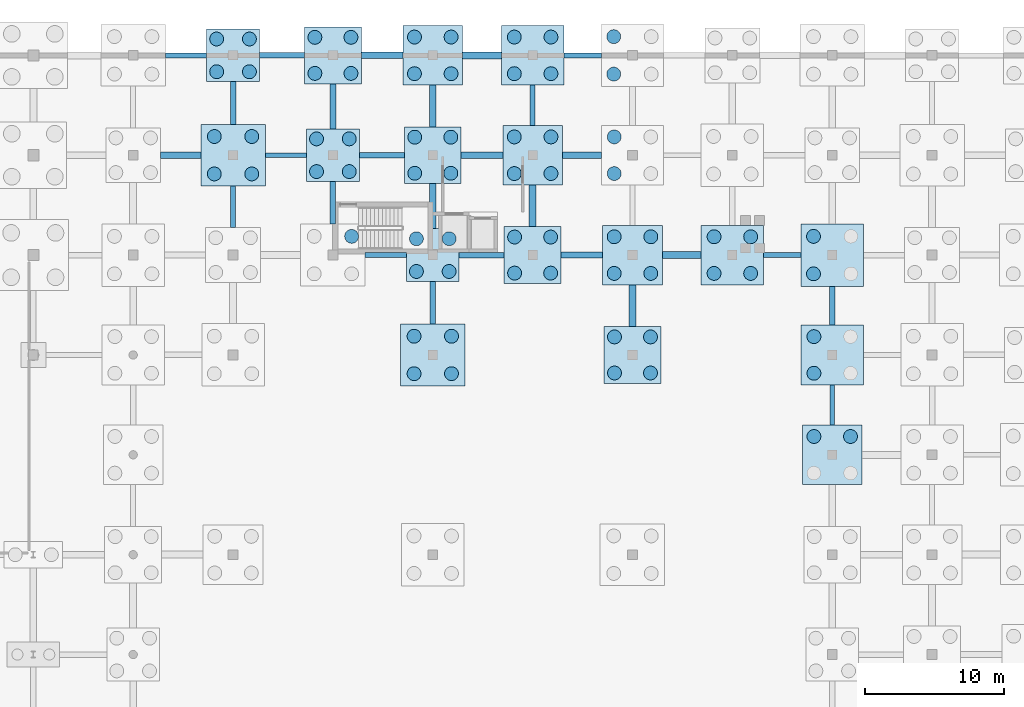
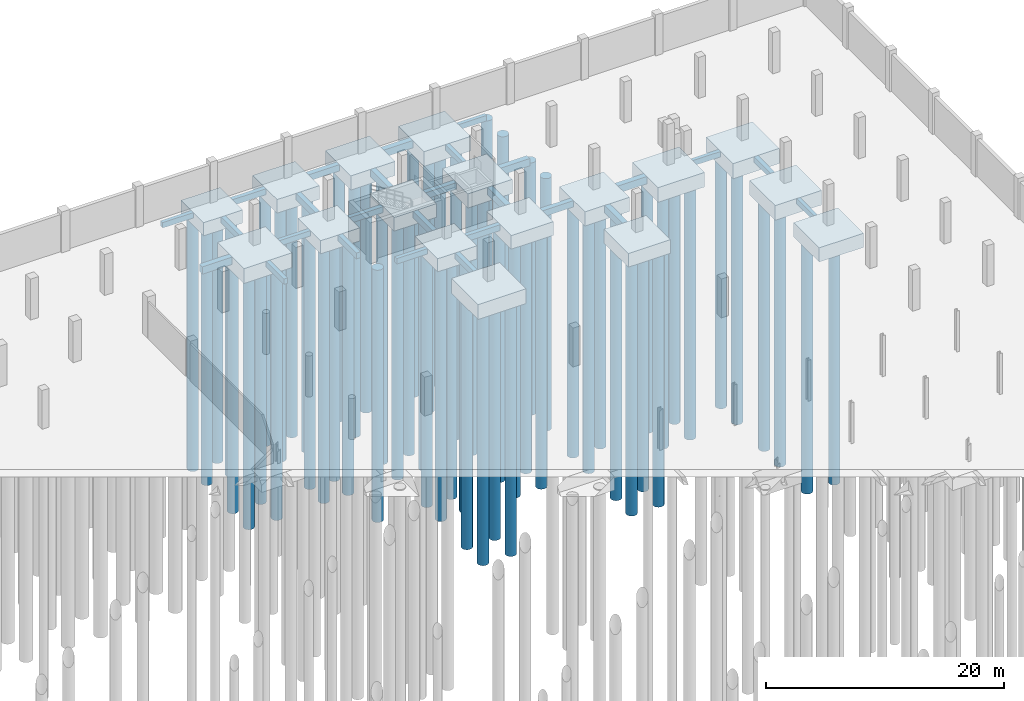
# One storey, part 17 of 56: 67 piles, 44 footings.
"""IFC4 building model written with IfcOpenShell, lengths in metres."""

from ifc_helpers import new_model, si_unit, direction, frame, origin, origin_2d, place, context, subcontext, project, spatial, rectangle, circle, extrude, material, material_profile, profile_set, type_object, element, save


model = new_model("IFC4")

# Units and contexts
model_context = context("Model", 3, precision=1e-05, world=origin(), true_north=direction((0.0, 1.0)))
body_context = subcontext(model_context, "Body", "Model", "MODEL_VIEW")
ifc_project = project(units=[si_unit("LENGTHUNIT", "METRE"), si_unit("AREAUNIT", "SQUARE_METRE"), si_unit("VOLUMEUNIT", "CUBIC_METRE"), si_unit("PLANEANGLEUNIT", "RADIAN"), si_unit("MASSUNIT", "GRAM", prefix="KILO")], contexts=[model_context])

# Site, building, storey
site_placement = place(None, origin())
site = spatial("IfcSite", under=ifc_project, at=site_placement, CompositionType="ELEMENT")
building_placement = place(site_placement, origin())
building = spatial("IfcBuilding", under=site, at=building_placement, Name="Suanplinth Sawtooth Commons", CompositionType="ELEMENT")
storey_placement = place(building_placement, frame((0.0, 0.0, -4.199951171875)))
storey = spatial("IfcBuildingStorey", under=building, at=storey_placement, Name="B1", CompositionType="ELEMENT", Elevation=-4.199951171875)

# Footings
ifc_material_1 = material(Name="Concrete C35/45", Category="concrete")
ifc_material_profile_1 = material_profile(ifc_material_1, rectangle(XDim=0.449951171875, YDim=0.64990234375, at=origin_2d()), Name="PC-GDR 450x650")
ifc_profile_set_1 = profile_set([ifc_material_profile_1], Name="Concrete C35/45")
footing_type_1 = type_object("IfcFootingType", Name="FB-01", PredefinedType="FOOTING_BEAM", material=ifc_profile_set_1)
footing_1_placement = place(storey_placement, frame((136.800048828125, 117.10009765625, -0.824951171875), z_axis=(0.0, 1.0, 0.0), x_axis=(-1.0, 0.0, 0.0)))
element("IfcFooting", 1, at=footing_1_placement, inside=storey, type_object=footing_type_1, Name="Foundation Tie Beam 20/S-T", PredefinedType="FOOTING_BEAM", context=body_context, shape_type="SweptSolid", body=[
    extrude(rectangle(XDim=0.449951171875, YDim=0.64990234375, at=origin_2d()), origin(), (0.0, 0.0, 1.0), 3.25),
])
footing_2_placement = place(storey_placement, frame((138.85009765625, 122.39990234375, -0.824951171875), z_axis=(1.0, 0.0, 0.0), x_axis=(0.0, 1.0, 0.0)))
element("IfcFooting", 2, at=footing_2_placement, inside=storey, type_object=footing_type_1, Name="Foundation Tie Beam 20-21/T", PredefinedType="FOOTING_BEAM", context=body_context, shape_type="SweptSolid", body=[
    extrude(rectangle(XDim=0.449951171875, YDim=0.64990234375, at=origin_2d()), origin(), (0.0, 0.0, 1.0), 3.0),
])
footing_3_placement = place(storey_placement, frame((144.0, 109.89990234375, -0.824951171875), z_axis=(0.0, 1.0, 0.0), x_axis=(-1.0, 0.0, 0.0)))
element("IfcFooting", 3, at=footing_3_placement, inside=storey, type_object=footing_type_1, Name="Foundation Tie Beam 21/R-S", PredefinedType="FOOTING_BEAM", context=body_context, shape_type="SweptSolid", body=[
    extrude(rectangle(XDim=0.449951171875, YDim=0.64990234375, at=origin_2d()), origin(), (0.0, 0.0, 1.0), 3.25),
])
for number, where, z_axis, x_axis, name in (
    (4, (146.050048828125, 115.199951171875, -0.824951171875), (1.0, 0.0, 0.0), (0.0, 1.0, 0.0), "Foundation Tie Beam 21-22/S"),
    (5, (153.25, 108.0, -0.824951171875), (1.0, 0.0, 0.0), (0.0, 1.0, 0.0), "Foundation Tie Beam 22-23/R"),
):
    element("IfcFooting", number, at=place(storey_placement, frame(where, z_axis=z_axis, x_axis=x_axis)), inside=storey, type_object=footing_type_1, Name=name, PredefinedType="FOOTING_BEAM", context=body_context, shape_type="SweptSolid", body=[
        extrude(rectangle(XDim=0.449951171875, YDim=0.64990234375, at=origin_2d()), origin(), (0.0, 0.0, 1.0), 3.0),
    ])
ifc_material_profile_2 = material_profile(ifc_material_1, rectangle(XDim=0.5, YDim=0.75, at=origin_2d()), Name="RC-GDR 500x750")
ifc_profile_set_2 = profile_set([ifc_material_profile_2], Name="Concrete C35/45")
footing_type_2 = type_object("IfcFootingType", Name="FB-02", PredefinedType="FOOTING_BEAM", material=ifc_profile_set_2)
footing_4_placement = place(storey_placement, frame((124.375, 115.199951171875, -0.875), z_axis=(1.0, 0.0, 0.0), x_axis=(0.0, 1.0, 0.0)))
element("IfcFooting", 6, at=footing_4_placement, inside=storey, type_object=footing_type_2, Name="Foundation Tie Beam 18-19/S", PredefinedType="FOOTING_BEAM", context=body_context, shape_type="SweptSolid", body=[
    extrude(rectangle(XDim=0.5, YDim=0.75, at=origin_2d()), origin(), (0.0, 0.0, 1.0), 2.89990234375),
])
footing_5_placement = place(storey_placement, frame((144.0, 117.25, -0.875), z_axis=(0.0, 1.0, 0.0), x_axis=(-1.0, 0.0, 0.0)))
element("IfcFooting", 7, at=footing_5_placement, inside=storey, type_object=footing_type_2, Name="Foundation Tie Beam 21/S-T", PredefinedType="FOOTING_BEAM", context=body_context, shape_type="SweptSolid", body=[
    extrude(rectangle(XDim=0.5, YDim=0.75, at=origin_2d()), origin(), (0.0, 0.0, 1.0), 3.0),
])
footing_6_placement = place(storey_placement, frame((146.14990234375, 122.39990234375, -0.875), z_axis=(1.0, 0.0, 0.0), x_axis=(0.0, 1.0, 0.0)))
element("IfcFooting", 8, at=footing_6_placement, inside=storey, type_object=footing_type_2, Name="Foundation Tie Beam 21-22/T", PredefinedType="FOOTING_BEAM", context=body_context, shape_type="SweptSolid", body=[
    extrude(rectangle(XDim=0.5, YDim=0.75, at=origin_2d()), origin(), (0.0, 0.0, 1.0), 2.800048828125),
])
footing_7_placement = place(storey_placement, frame((151.199951171875, 110.050048828125, -0.875), z_axis=(0.0, 1.0, 0.0), x_axis=(-1.0, 0.0, 0.0)))
element("IfcFooting", 9, at=footing_7_placement, inside=storey, type_object=footing_type_2, Name="Foundation Tie Beam 22/R-S", PredefinedType="FOOTING_BEAM", context=body_context, shape_type="SweptSolid", body=[
    extrude(rectangle(XDim=0.5, YDim=0.75, at=origin_2d()), origin(), (0.0, 0.0, 1.0), 3.0),
])
footing_8_placement = place(storey_placement, frame((153.35009765625, 115.199951171875, -0.875), z_axis=(1.0, 0.0, 0.0), x_axis=(0.0, 1.0, 0.0)))
element("IfcFooting", 10, at=footing_8_placement, inside=storey, type_object=footing_type_2, Name="Foundation Tie Beam 22-23/S", PredefinedType="FOOTING_BEAM", context=body_context, shape_type="SweptSolid", body=[
    extrude(rectangle(XDim=0.5, YDim=0.75, at=origin_2d()), origin(), (0.0, 0.0, 1.0), 2.7998046875),
])
footing_9_placement = place(storey_placement, frame((158.39990234375, 102.85009765625, -0.875), z_axis=(0.0, 1.0, 0.0), x_axis=(-1.0, 0.0, 0.0)))
element("IfcFooting", 11, at=footing_9_placement, inside=storey, type_object=footing_type_2, Name="Foundation Tie Beam 23/Q-R", PredefinedType="FOOTING_BEAM", context=body_context, shape_type="SweptSolid", body=[
    extrude(rectangle(XDim=0.5, YDim=0.75, at=origin_2d()), origin(), (0.0, 0.0, 1.0), 3.0),
])
footing_10_placement = place(storey_placement, frame((160.550048828125, 108.0, -0.875), z_axis=(1.0, 0.0, 0.0), x_axis=(0.0, 1.0, 0.0)))
element("IfcFooting", 12, at=footing_10_placement, inside=storey, type_object=footing_type_2, Name="Foundation Tie Beam 23-24/R", PredefinedType="FOOTING_BEAM", context=body_context, shape_type="SweptSolid", body=[
    extrude(rectangle(XDim=0.5, YDim=0.75, at=origin_2d()), origin(), (0.0, 0.0, 1.0), 2.800048828125),
])
ifc_material_profile_3 = material_profile(ifc_material_1, rectangle(XDim=0.35009765625, YDim=0.550048828125, at=origin_2d()), Name="PC-BM 350x550")
ifc_profile_set_3 = profile_set([ifc_material_profile_3], Name="Concrete C35/45")
footing_type_3 = type_object("IfcFootingType", Name="FB-03", PredefinedType="FOOTING_BEAM", material=ifc_profile_set_3)
footing_11_placement = place(storey_placement, frame((124.72509765625, 122.39990234375, -0.775146484375), z_axis=(1.0, 0.0, 0.0), x_axis=(0.0, 1.0, 0.0)))
element("IfcFooting", 13, at=footing_11_placement, inside=storey, type_object=footing_type_3, Name="Foundation Tie Beam 18-19/T", PredefinedType="FOOTING_BEAM", context=body_context, shape_type="SweptSolid", body=[
    extrude(rectangle(XDim=0.35009765625, YDim=0.550048828125, at=origin_2d()), origin(), (0.0, 0.0, 1.0), 2.974853515625),
])
footing_12_placement = place(storey_placement, frame((129.60009765625, 109.97509765625, -0.775146484375), z_axis=(0.0, 1.0, 0.0), x_axis=(-1.0, 0.0, 0.0)))
element("IfcFooting", 14, at=footing_12_placement, inside=storey, type_object=footing_type_3, Name="Foundation Tie Beam 19/R-S", PredefinedType="FOOTING_BEAM", context=body_context, shape_type="SweptSolid", body=[
    extrude(rectangle(XDim=0.35009765625, YDim=0.550048828125, at=origin_2d()), origin(), (0.0, 0.0, 1.0), 3.0),
])
footing_13_placement = place(storey_placement, frame((131.925048828125, 115.199951171875, -0.775146484375), z_axis=(1.0, 0.0, 0.0), x_axis=(0.0, 1.0, 0.0)))
element("IfcFooting", 15, at=footing_13_placement, inside=storey, type_object=footing_type_3, Name="Foundation Tie Beam 19-20/S", PredefinedType="FOOTING_BEAM", context=body_context, shape_type="SweptSolid", body=[
    extrude(rectangle(XDim=0.35009765625, YDim=0.550048828125, at=origin_2d()), origin(), (0.0, 0.0, 1.0), 2.974853515625),
])
footing_14_placement = place(storey_placement, frame((139.125, 108.0, -0.775146484375), z_axis=(1.0, 0.0, 0.0), x_axis=(0.0, 1.0, 0.0)))
element("IfcFooting", 16, at=footing_14_placement, inside=storey, type_object=footing_type_3, Name="Foundation Tie Beam 20-21/R", PredefinedType="FOOTING_BEAM", context=body_context, shape_type="SweptSolid", body=[
    extrude(rectangle(XDim=0.35009765625, YDim=0.550048828125, at=origin_2d()), origin(), (0.0, 0.0, 1.0), 2.97509765625),
])
footing_15_placement = place(storey_placement, frame((151.199951171875, 117.35009765625, -0.775146484375), z_axis=(0.0, 1.0, 0.0), x_axis=(-1.0, 0.0, 0.0)))
element("IfcFooting", 17, at=footing_15_placement, inside=storey, type_object=footing_type_3, Name="Foundation Tie Beam 22/S-T", PredefinedType="FOOTING_BEAM", context=body_context, shape_type="SweptSolid", body=[
    extrude(rectangle(XDim=0.35009765625, YDim=0.550048828125, at=origin_2d()), origin(), (0.0, 0.0, 1.0), 2.89990234375),
])
for number, where, z_axis, x_axis, name in (
    (18, (153.449951171875, 122.39990234375, -0.775146484375), (1.0, 0.0, 0.0), (0.0, 1.0, 0.0), "Foundation Tie Beam 22-23/T"),
    (19, (167.85009765625, 108.0, -0.775146484375), (1.0, 0.0, 0.0), (0.0, 1.0, 0.0), "Foundation Tie Beam 24-25/R"),
):
    element("IfcFooting", number, at=place(storey_placement, frame(where, z_axis=z_axis, x_axis=x_axis)), inside=storey, type_object=footing_type_3, Name=name, PredefinedType="FOOTING_BEAM", context=body_context, shape_type="SweptSolid", body=[
        extrude(rectangle(XDim=0.35009765625, YDim=0.550048828125, at=origin_2d()), origin(), (0.0, 0.0, 1.0), 2.699951171875),
    ])
footing_16_placement = place(storey_placement, frame((172.800048828125, 95.75, -0.775146484375), z_axis=(0.0, 1.0, 0.0), x_axis=(-1.0, 0.0, 0.0)))
element("IfcFooting", 20, at=footing_16_placement, inside=storey, type_object=footing_type_3, Name="Foundation Tie Beam 25/P-Q", PredefinedType="FOOTING_BEAM", context=body_context, shape_type="SweptSolid", body=[
    extrude(rectangle(XDim=0.35009765625, YDim=0.550048828125, at=origin_2d()), origin(), (0.0, 0.0, 1.0), 2.89990234375),
])
ifc_material_profile_4 = material_profile(ifc_material_1, rectangle(XDim=0.39990234375, YDim=0.60009765625, at=origin_2d()), Name="PC-GDR 400x600")
ifc_profile_set_4 = profile_set([ifc_material_profile_4], Name="Concrete C35/45")
footing_type_4 = type_object("IfcFootingType", Name="FB-04", PredefinedType="FOOTING_BEAM", material=ifc_profile_set_4)
footing_17_placement = place(storey_placement, frame((129.60009765625, 117.425048828125, -0.800048828125), z_axis=(0.0, 1.0, 0.0), x_axis=(-1.0, 0.0, 0.0)))
element("IfcFooting", 21, at=footing_17_placement, inside=storey, type_object=footing_type_4, Name="Foundation Tie Beam 19/S-T", PredefinedType="FOOTING_BEAM", context=body_context, shape_type="SweptSolid", body=[
    extrude(rectangle(XDim=0.39990234375, YDim=0.60009765625, at=origin_2d()), origin(), (0.0, 0.0, 1.0), 3.074951171875),
])
footing_18_placement = place(storey_placement, frame((131.5, 122.39990234375, -0.800048828125), z_axis=(1.0, 0.0, 0.0), x_axis=(0.0, 1.0, 0.0)))
element("IfcFooting", 22, at=footing_18_placement, inside=storey, type_object=footing_type_4, Name="Foundation Tie Beam 19-20/T", PredefinedType="FOOTING_BEAM", context=body_context, shape_type="SweptSolid", body=[
    extrude(rectangle(XDim=0.39990234375, YDim=0.60009765625, at=origin_2d()), origin(), (0.0, 0.0, 1.0), 3.25),
])
footing_19_placement = place(storey_placement, frame((136.800048828125, 110.22509765625, -0.800048828125), z_axis=(0.0, 1.0, 0.0), x_axis=(-1.0, 0.0, 0.0)))
element("IfcFooting", 23, at=footing_19_placement, inside=storey, type_object=footing_type_4, Name="Foundation Tie Beam 20/R-S", PredefinedType="FOOTING_BEAM", context=body_context, shape_type="SweptSolid", body=[
    extrude(rectangle(XDim=0.39990234375, YDim=0.60009765625, at=origin_2d()), origin(), (0.0, 0.0, 1.0), 3.074951171875),
])
footing_20_placement = place(storey_placement, frame((138.699951171875, 115.199951171875, -0.800048828125), z_axis=(1.0, 0.0, 0.0), x_axis=(0.0, 1.0, 0.0)))
element("IfcFooting", 24, at=footing_20_placement, inside=storey, type_object=footing_type_4, Name="Foundation Tie Beam 20-21/S", PredefinedType="FOOTING_BEAM", context=body_context, shape_type="SweptSolid", body=[
    extrude(rectangle(XDim=0.39990234375, YDim=0.60009765625, at=origin_2d()), origin(), (0.0, 0.0, 1.0), 3.25),
])
footing_21_placement = place(storey_placement, frame((144.0, 103.02490234375, -0.800048828125), z_axis=(0.0, 1.0, 0.0), x_axis=(-1.0, 0.0, 0.0)))
element("IfcFooting", 25, at=footing_21_placement, inside=storey, type_object=footing_type_4, Name="Foundation Tie Beam 21/Q-R", PredefinedType="FOOTING_BEAM", context=body_context, shape_type="SweptSolid", body=[
    extrude(rectangle(XDim=0.39990234375, YDim=0.60009765625, at=origin_2d()), origin(), (0.0, 0.0, 1.0), 3.0751953125),
])
footing_22_placement = place(storey_placement, frame((145.89990234375, 108.0, -0.800048828125), z_axis=(1.0, 0.0, 0.0), x_axis=(0.0, 1.0, 0.0)))
element("IfcFooting", 26, at=footing_22_placement, inside=storey, type_object=footing_type_4, Name="Foundation Tie Beam 21-22/R", PredefinedType="FOOTING_BEAM", context=body_context, shape_type="SweptSolid", body=[
    extrude(rectangle(XDim=0.39990234375, YDim=0.60009765625, at=origin_2d()), origin(), (0.0, 0.0, 1.0), 3.25),
])
footing_23_placement = place(storey_placement, frame((172.800048828125, 102.949951171875, -0.800048828125), z_axis=(0.0, 1.0, 0.0), x_axis=(-1.0, 0.0, 0.0)))
element("IfcFooting", 27, at=footing_23_placement, inside=storey, type_object=footing_type_4, Name="Foundation Tie Beam 25/Q-R", PredefinedType="FOOTING_BEAM", context=body_context, shape_type="SweptSolid", body=[
    extrude(rectangle(XDim=0.39990234375, YDim=0.60009765625, at=origin_2d()), origin(), (0.0, 0.0, 1.0), 2.800048828125),
])
footing_type_5 = type_object("IfcFootingType", Name="FC-06", PredefinedType="PILE_CAP", material=ifc_material_1)
for number, where, z_axis, x_axis, name in (
    (28, (129.60009765625, 122.39990234375, -1.85009765625), (0.0, 0.0, 1.0), (1.0, 0.0, 0.0), "Pile Cap 19/T"),
    (29, (136.800048828125, 115.199951171875, -1.85009765625), (0.0, 0.0, 1.0), (1.0, 0.0, 0.0), "Pile Cap 20/S"),
    (30, (144.0, 108.0, -1.85009765625), (0.0, 0.0, 1.0), (1.0, 0.0, 0.0), "Pile Cap 21/R"),
):
    element("IfcFooting", number, at=place(storey_placement, frame(where, z_axis=z_axis, x_axis=x_axis)), inside=storey, type_object=footing_type_5, Name=name, PredefinedType="PILE_CAP", context=body_context, shape_type="SweptSolid", body=[
        extrude(rectangle(XDim=3.800048828125, YDim=3.800048828125, at=origin_2d()), origin(), (0.0, 0.0, 1.0), 1.35009765625),
    ])
footing_type_6 = type_object("IfcFootingType", Name="FC-07", PredefinedType="PILE_CAP", material=ifc_material_1)
for number, where, z_axis, x_axis, name in (
    (31, (136.800048828125, 122.39990234375, -1.89990234375), (0.0, 0.0, 1.0), (1.0, 0.0, 0.0), "Pile Cap 20/T"),
    (32, (144.0, 115.199951171875, -1.89990234375), (0.0, 0.0, 1.0), (1.0, 0.0, 0.0), "Pile Cap 21/S"),
    (33, (151.199951171875, 108.0, -1.89990234375), (0.0, 0.0, 1.0), (1.0, 0.0, 0.0), "Pile Cap 22/R"),
    (34, (158.39990234375, 100.800048828125, -1.89990234375), (0.0, 0.0, 1.0), (1.0, 0.0, 0.0), "Pile Cap 23/Q"),
):
    element("IfcFooting", number, at=place(storey_placement, frame(where, z_axis=z_axis, x_axis=x_axis)), inside=storey, type_object=footing_type_6, Name=name, PredefinedType="PILE_CAP", context=body_context, shape_type="SweptSolid", body=[
        extrude(rectangle(XDim=4.10009765625, YDim=4.10009765625, at=origin_2d()), origin(), (0.0, 0.0, 1.0), 1.39990234375),
    ])
footing_type_7 = type_object("IfcFootingType", Name="FC-08", PredefinedType="PILE_CAP", material=ifc_material_1)
for number, where, z_axis, x_axis, name in (
    (35, (144.0, 122.39990234375, -1.9501953125), (0.0, 0.0, 1.0), (1.0, 0.0, 0.0), "Pile Cap 21/T"),
    (36, (151.199951171875, 115.199951171875, -1.9501953125), (0.0, 0.0, 1.0), (1.0, 0.0, 0.0), "Pile Cap 22/S"),
    (37, (158.39990234375, 108.0, -1.9501953125), (0.0, 0.0, 1.0), (1.0, 0.0, 0.0), "Pile Cap 23/R"),
    (38, (172.800048828125, 93.60009765625, -1.9501953125), (0.0, 0.0, 1.0), (1.0, 0.0, 0.0), "Pile Cap 25/P"),
):
    element("IfcFooting", number, at=place(storey_placement, frame(where, z_axis=z_axis, x_axis=x_axis)), inside=storey, type_object=footing_type_7, Name=name, PredefinedType="PILE_CAP", context=body_context, shape_type="SweptSolid", body=[
        extrude(rectangle(XDim=4.300048828125, YDim=4.300048828125, at=origin_2d()), origin(), (0.0, 0.0, 1.0), 1.449951171875),
    ])
footing_type_8 = type_object("IfcFootingType", Name="FC-09", PredefinedType="PILE_CAP", material=ifc_material_1)
for number, where, z_axis, x_axis, name in (
    (39, (151.199951171875, 122.39990234375, -2.0), (0.0, 0.0, 1.0), (1.0, 0.0, 0.0), "Pile Cap 22/T"),
    (40, (165.60009765625, 108.0, -2.0), (0.0, 0.0, 1.0), (1.0, 0.0, 0.0), "Pile Cap 24/R"),
    (41, (172.800048828125, 100.800048828125, -2.0), (0.0, 0.0, 1.0), (1.0, 0.0, 0.0), "Pile Cap 25/Q"),
):
    element("IfcFooting", number, at=place(storey_placement, frame(where, z_axis=z_axis, x_axis=x_axis)), inside=storey, type_object=footing_type_8, Name=name, PredefinedType="PILE_CAP", context=body_context, shape_type="SweptSolid", body=[
        extrude(rectangle(XDim=4.5, YDim=4.300048828125, at=origin_2d()), origin(), (0.0, 0.0, 1.0), 1.5),
    ])
footing_type_9 = type_object("IfcFootingType", Name="FC-10", PredefinedType="PILE_CAP", material=ifc_material_1)
footing_24_placement = place(storey_placement, frame((172.800048828125, 108.0, -2.05029296875), z_axis=(0.0, 0.0, 1.0), x_axis=(1.0, 0.0, 0.0)))
element("IfcFooting", 42, at=footing_24_placement, inside=storey, type_object=footing_type_9, Name="Pile Cap 25/R", PredefinedType="PILE_CAP", context=body_context, shape_type="SweptSolid", body=[
    extrude(rectangle(XDim=4.5, YDim=4.5, at=origin_2d()), origin(), (0.0, 0.0, 1.0), 1.550048828125),
])
footing_type_10 = type_object("IfcFootingType", Name="FC-16", PredefinedType="PILE_CAP", material=ifc_material_1)
for number, where, z_axis, x_axis, name in (
    (43, (129.60009765625, 115.199951171875, -2.02001953125), (0.0, 0.0, 1.0), (1.0, 0.0, 0.0), "Pile Cap 19/S"),
    (44, (144.0, 100.800048828125, -2.02001953125), (0.0, 0.0, 1.0), (1.0, 0.0, 0.0), "Pile Cap 21/Q"),
):
    element("IfcFooting", number, at=place(storey_placement, frame(where, z_axis=z_axis, x_axis=x_axis)), inside=storey, type_object=footing_type_10, Name=name, PredefinedType="PILE_CAP", context=body_context, shape_type="SweptSolid", body=[
        extrude(rectangle(XDim=4.64990234375, YDim=4.449951171875, at=origin_2d()), origin(), (0.0, 0.0, 1.0), 1.52001953125),
    ])

# Piles
ifc_material_2 = material(Name="Concrete C32/40", Category="concrete")
ifc_material_profile_5 = material_profile(ifc_material_2, circle(Radius=0.5, at=origin_2d()), Name="PILE D1000")
ifc_profile_set_5 = profile_set([ifc_material_profile_5], Name="Concrete C32/40")
pile_type = type_object("IfcPileType", Name="P-02", PredefinedType="BORED", material=ifc_profile_set_5)
for number, where, z_axis, x_axis, name in (
    (45, (128.25, 113.85009765625, -1.920166015625), (0.0, 0.0, -1.0), (1.0, 0.0, 0.0), "Bored Pile 19/S-1"),
    (46, (130.949951171875, 113.85009765625, -1.920166015625), (0.0, 0.0, -1.0), (1.0, 0.0, 0.0), "Bored Pile 19/S-2"),
    (47, (128.25, 116.550048828125, -1.920166015625), (0.0, 0.0, -1.0), (1.0, 0.0, 0.0), "Bored Pile 19/S-3"),
    (48, (130.949951171875, 116.550048828125, -1.920166015625), (0.0, 0.0, -1.0), (1.0, 0.0, 0.0), "Bored Pile 19/S-4"),
):
    element("IfcPile", number, at=place(storey_placement, frame(where, z_axis=z_axis, x_axis=x_axis)), inside=storey, type_object=pile_type, Name=name, PredefinedType="BORED", context=body_context, shape_type="SweptSolid", body=[
        extrude(circle(Radius=0.5, at=origin_2d()), origin(), (0.0, 0.0, 1.0), 25.8798828125),
    ])
for number, where, z_axis, x_axis, name in (
    (49, (128.419921875, 121.219970703125, -1.75), (0.0, 0.0, -1.0), (1.0, 0.0, 0.0), "Bored Pile 19/T-1"),
    (50, (130.780029296875, 121.219970703125, -1.75), (0.0, 0.0, -1.0), (1.0, 0.0, 0.0), "Bored Pile 19/T-2"),
    (51, (128.419921875, 123.580078125, -1.75), (0.0, 0.0, -1.0), (1.0, 0.0, 0.0), "Bored Pile 19/T-3"),
    (52, (130.780029296875, 123.580078125, -1.75), (0.0, 0.0, -1.0), (1.0, 0.0, 0.0), "Bored Pile 19/T-4"),
):
    element("IfcPile", number, at=place(storey_placement, frame(where, z_axis=z_axis, x_axis=x_axis)), inside=storey, type_object=pile_type, Name=name, PredefinedType="BORED", context=body_context, shape_type="SweptSolid", body=[
        extrude(circle(Radius=0.5, at=origin_2d()), origin(), (0.0, 0.0, 1.0), 26.050048828125),
    ])
pile_placement = place(storey_placement, frame((138.14990234375, 109.35009765625, -1.920166015625), z_axis=(0.0, 0.0, -1.0), x_axis=(1.0, 0.0, 0.0)))
element("IfcPile", 53, at=pile_placement, inside=storey, type_object=pile_type, Name="Bored Pile 20/R-4", PredefinedType="BORED", context=body_context, shape_type="SweptSolid", body=[
    extrude(circle(Radius=0.5, at=origin_2d()), origin(), (0.0, 0.0, 1.0), 25.8798828125),
])
for number, where, z_axis, x_axis, name in (
    (54, (135.6201171875, 114.02001953125, -1.75), (0.0, 0.0, -1.0), (1.0, 0.0, 0.0), "Bored Pile 20/S-1"),
    (55, (137.97998046875, 114.02001953125, -1.75), (0.0, 0.0, -1.0), (1.0, 0.0, 0.0), "Bored Pile 20/S-2"),
    (56, (135.6201171875, 116.3798828125, -1.75), (0.0, 0.0, -1.0), (1.0, 0.0, 0.0), "Bored Pile 20/S-3"),
    (57, (137.97998046875, 116.3798828125, -1.75), (0.0, 0.0, -1.0), (1.0, 0.0, 0.0), "Bored Pile 20/S-4"),
):
    element("IfcPile", number, at=place(storey_placement, frame(where, z_axis=z_axis, x_axis=x_axis)), inside=storey, type_object=pile_type, Name=name, PredefinedType="BORED", context=body_context, shape_type="SweptSolid", body=[
        extrude(circle(Radius=0.5, at=origin_2d()), origin(), (0.0, 0.0, 1.0), 26.050048828125),
    ])
for number, where, z_axis, x_axis, name in (
    (58, (135.5, 121.10009765625, -1.800048828125), (0.0, 0.0, -1.0), (1.0, 0.0, 0.0), "Bored Pile 20/T-1"),
    (59, (138.10009765625, 121.10009765625, -1.800048828125), (0.0, 0.0, -1.0), (1.0, 0.0, 0.0), "Bored Pile 20/T-2"),
    (60, (135.5, 123.699951171875, -1.800048828125), (0.0, 0.0, -1.0), (1.0, 0.0, 0.0), "Bored Pile 20/T-3"),
    (61, (138.10009765625, 123.699951171875, -1.800048828125), (0.0, 0.0, -1.0), (1.0, 0.0, 0.0), "Bored Pile 20/T-4"),
):
    element("IfcPile", number, at=place(storey_placement, frame(where, z_axis=z_axis, x_axis=x_axis)), inside=storey, type_object=pile_type, Name=name, PredefinedType="BORED", context=body_context, shape_type="SweptSolid", body=[
        extrude(circle(Radius=0.5, at=origin_2d()), origin(), (0.0, 0.0, 1.0), 26.0),
    ])
for number, where, z_axis, x_axis, name in (
    (62, (142.64990234375, 99.449951171875, -1.920166015625), (0.0, 0.0, -1.0), (1.0, 0.0, 0.0), "Bored Pile 21/Q-1"),
    (63, (145.35009765625, 99.449951171875, -1.920166015625), (0.0, 0.0, -1.0), (1.0, 0.0, 0.0), "Bored Pile 21/Q-2"),
    (64, (142.64990234375, 102.14990234375, -1.920166015625), (0.0, 0.0, -1.0), (1.0, 0.0, 0.0), "Bored Pile 21/Q-3"),
    (65, (145.35009765625, 102.14990234375, -1.920166015625), (0.0, 0.0, -1.0), (1.0, 0.0, 0.0), "Bored Pile 21/Q-4"),
):
    element("IfcPile", number, at=place(storey_placement, frame(where, z_axis=z_axis, x_axis=x_axis)), inside=storey, type_object=pile_type, Name=name, PredefinedType="BORED", context=body_context, shape_type="SweptSolid", body=[
        extrude(circle(Radius=0.5, at=origin_2d()), origin(), (0.0, 0.0, 1.0), 25.8798828125),
    ])
for number, where, z_axis, x_axis, name in (
    (66, (142.820068359375, 106.820068359375, -1.75), (0.0, 0.0, -1.0), (1.0, 0.0, 0.0), "Bored Pile 21/R-1"),
    (67, (145.179931640625, 106.820068359375, -1.75), (0.0, 0.0, -1.0), (1.0, 0.0, 0.0), "Bored Pile 21/R-2"),
    (68, (142.820068359375, 109.179931640625, -1.75), (0.0, 0.0, -1.0), (1.0, 0.0, 0.0), "Bored Pile 21/R-3"),
    (69, (145.179931640625, 109.179931640625, -1.75), (0.0, 0.0, -1.0), (1.0, 0.0, 0.0), "Bored Pile 21/R-4"),
):
    element("IfcPile", number, at=place(storey_placement, frame(where, z_axis=z_axis, x_axis=x_axis)), inside=storey, type_object=pile_type, Name=name, PredefinedType="BORED", context=body_context, shape_type="SweptSolid", body=[
        extrude(circle(Radius=0.5, at=origin_2d()), origin(), (0.0, 0.0, 1.0), 26.050048828125),
    ])
for number, where, z_axis, x_axis, name in (
    (70, (142.699951171875, 113.89990234375, -1.800048828125), (0.0, 0.0, -1.0), (1.0, 0.0, 0.0), "Bored Pile 21/S-1"),
    (71, (145.300048828125, 113.89990234375, -1.800048828125), (0.0, 0.0, -1.0), (1.0, 0.0, 0.0), "Bored Pile 21/S-2"),
    (72, (142.699951171875, 116.5, -1.800048828125), (0.0, 0.0, -1.0), (1.0, 0.0, 0.0), "Bored Pile 21/S-3"),
    (73, (145.300048828125, 116.5, -1.800048828125), (0.0, 0.0, -1.0), (1.0, 0.0, 0.0), "Bored Pile 21/S-4"),
):
    element("IfcPile", number, at=place(storey_placement, frame(where, z_axis=z_axis, x_axis=x_axis)), inside=storey, type_object=pile_type, Name=name, PredefinedType="BORED", context=body_context, shape_type="SweptSolid", body=[
        extrude(circle(Radius=0.5, at=origin_2d()), origin(), (0.0, 0.0, 1.0), 26.0),
    ])
for number, where, z_axis, x_axis, name in (
    (74, (142.679931640625, 121.080078125, -1.85009765625), (0.0, 0.0, -1.0), (1.0, 0.0, 0.0), "Bored Pile 21/T-1"),
    (75, (145.320068359375, 121.080078125, -1.85009765625), (0.0, 0.0, -1.0), (1.0, 0.0, 0.0), "Bored Pile 21/T-2"),
    (76, (142.679931640625, 123.719970703125, -1.85009765625), (0.0, 0.0, -1.0), (1.0, 0.0, 0.0), "Bored Pile 21/T-3"),
    (77, (145.320068359375, 123.719970703125, -1.85009765625), (0.0, 0.0, -1.0), (1.0, 0.0, 0.0), "Bored Pile 21/T-4"),
):
    element("IfcPile", number, at=place(storey_placement, frame(where, z_axis=z_axis, x_axis=x_axis)), inside=storey, type_object=pile_type, Name=name, PredefinedType="BORED", context=body_context, shape_type="SweptSolid", body=[
        extrude(circle(Radius=0.5, at=origin_2d()), origin(), (0.0, 0.0, 1.0), 25.949951171875),
    ])
for number, where, z_axis, x_axis, name in (
    (78, (149.89990234375, 106.699951171875, -1.800048828125), (0.0, 0.0, -1.0), (1.0, 0.0, 0.0), "Bored Pile 22/R-1"),
    (79, (152.5, 106.699951171875, -1.800048828125), (0.0, 0.0, -1.0), (1.0, 0.0, 0.0), "Bored Pile 22/R-2"),
    (80, (149.89990234375, 109.300048828125, -1.800048828125), (0.0, 0.0, -1.0), (1.0, 0.0, 0.0), "Bored Pile 22/R-3"),
    (81, (152.5, 109.300048828125, -1.800048828125), (0.0, 0.0, -1.0), (1.0, 0.0, 0.0), "Bored Pile 22/R-4"),
):
    element("IfcPile", number, at=place(storey_placement, frame(where, z_axis=z_axis, x_axis=x_axis)), inside=storey, type_object=pile_type, Name=name, PredefinedType="BORED", context=body_context, shape_type="SweptSolid", body=[
        extrude(circle(Radius=0.5, at=origin_2d()), origin(), (0.0, 0.0, 1.0), 26.0),
    ])
for number, where, z_axis, x_axis, name in (
    (82, (149.8798828125, 113.8798828125, -1.85009765625), (0.0, 0.0, -1.0), (1.0, 0.0, 0.0), "Bored Pile 22/S-1"),
    (83, (152.52001953125, 113.8798828125, -1.85009765625), (0.0, 0.0, -1.0), (1.0, 0.0, 0.0), "Bored Pile 22/S-2"),
    (84, (149.8798828125, 116.52001953125, -1.85009765625), (0.0, 0.0, -1.0), (1.0, 0.0, 0.0), "Bored Pile 22/S-3"),
    (85, (152.52001953125, 116.52001953125, -1.85009765625), (0.0, 0.0, -1.0), (1.0, 0.0, 0.0), "Bored Pile 22/S-4"),
):
    element("IfcPile", number, at=place(storey_placement, frame(where, z_axis=z_axis, x_axis=x_axis)), inside=storey, type_object=pile_type, Name=name, PredefinedType="BORED", context=body_context, shape_type="SweptSolid", body=[
        extrude(circle(Radius=0.5, at=origin_2d()), origin(), (0.0, 0.0, 1.0), 25.949951171875),
    ])
for number, where, z_axis, x_axis, name in (
    (86, (149.8798828125, 121.080078125, -1.900146484375), (0.0, 0.0, -1.0), (1.0, 0.0, 0.0), "Bored Pile 22/T-1"),
    (87, (152.52001953125, 121.080078125, -1.900146484375), (0.0, 0.0, -1.0), (1.0, 0.0, 0.0), "Bored Pile 22/T-2"),
    (88, (149.8798828125, 123.719970703125, -1.900146484375), (0.0, 0.0, -1.0), (1.0, 0.0, 0.0), "Bored Pile 22/T-3"),
    (89, (152.52001953125, 123.719970703125, -1.900146484375), (0.0, 0.0, -1.0), (1.0, 0.0, 0.0), "Bored Pile 22/T-4"),
):
    element("IfcPile", number, at=place(storey_placement, frame(where, z_axis=z_axis, x_axis=x_axis)), inside=storey, type_object=pile_type, Name=name, PredefinedType="BORED", context=body_context, shape_type="SweptSolid", body=[
        extrude(circle(Radius=0.5, at=origin_2d()), origin(), (0.0, 0.0, 1.0), 25.89990234375),
    ])
for number, where, z_axis, x_axis, name in (
    (90, (157.10009765625, 99.5, -1.800048828125), (0.0, 0.0, -1.0), (1.0, 0.0, 0.0), "Bored Pile 23/Q-1"),
    (91, (159.699951171875, 99.5, -1.800048828125), (0.0, 0.0, -1.0), (1.0, 0.0, 0.0), "Bored Pile 23/Q-2"),
    (92, (157.10009765625, 102.10009765625, -1.800048828125), (0.0, 0.0, -1.0), (1.0, 0.0, 0.0), "Bored Pile 23/Q-3"),
    (93, (159.699951171875, 102.10009765625, -1.800048828125), (0.0, 0.0, -1.0), (1.0, 0.0, 0.0), "Bored Pile 23/Q-4"),
):
    element("IfcPile", number, at=place(storey_placement, frame(where, z_axis=z_axis, x_axis=x_axis)), inside=storey, type_object=pile_type, Name=name, PredefinedType="BORED", context=body_context, shape_type="SweptSolid", body=[
        extrude(circle(Radius=0.5, at=origin_2d()), origin(), (0.0, 0.0, 1.0), 26.0),
    ])
for number, where, z_axis, x_axis, name in (
    (94, (157.080078125, 106.679931640625, -1.85009765625), (0.0, 0.0, -1.0), (1.0, 0.0, 0.0), "Bored Pile 23/R-1"),
    (95, (159.719970703125, 106.679931640625, -1.85009765625), (0.0, 0.0, -1.0), (1.0, 0.0, 0.0), "Bored Pile 23/R-2"),
    (96, (157.080078125, 109.320068359375, -1.85009765625), (0.0, 0.0, -1.0), (1.0, 0.0, 0.0), "Bored Pile 23/R-3"),
    (97, (159.719970703125, 109.320068359375, -1.85009765625), (0.0, 0.0, -1.0), (1.0, 0.0, 0.0), "Bored Pile 23/R-4"),
):
    element("IfcPile", number, at=place(storey_placement, frame(where, z_axis=z_axis, x_axis=x_axis)), inside=storey, type_object=pile_type, Name=name, PredefinedType="BORED", context=body_context, shape_type="SweptSolid", body=[
        extrude(circle(Radius=0.5, at=origin_2d()), origin(), (0.0, 0.0, 1.0), 25.949951171875),
    ])
for number, where, z_axis, x_axis, name in (
    (98, (157.080078125, 113.8798828125, -1.900146484375), (0.0, 0.0, -1.0), (1.0, 0.0, 0.0), "Bored Pile 23/S-1"),
    (99, (157.080078125, 116.52001953125, -1.900146484375), (0.0, 0.0, -1.0), (1.0, 0.0, 0.0), "Bored Pile 23/S-3"),
):
    element("IfcPile", number, at=place(storey_placement, frame(where, z_axis=z_axis, x_axis=x_axis)), inside=storey, type_object=pile_type, Name=name, PredefinedType="BORED", context=body_context, shape_type="SweptSolid", body=[
        extrude(circle(Radius=0.5, at=origin_2d()), origin(), (0.0, 0.0, 1.0), 25.89990234375),
    ])
for number, where, z_axis, x_axis, name in (
    (100, (157.050048828125, 121.050048828125, -1.949951171875), (0.0, 0.0, -1.0), (1.0, 0.0, 0.0), "Bored Pile 23/T-1"),
    (101, (157.050048828125, 123.75, -1.949951171875), (0.0, 0.0, -1.0), (1.0, 0.0, 0.0), "Bored Pile 23/T-3"),
):
    element("IfcPile", number, at=place(storey_placement, frame(where, z_axis=z_axis, x_axis=x_axis)), inside=storey, type_object=pile_type, Name=name, PredefinedType="BORED", context=body_context, shape_type="SweptSolid", body=[
        extrude(circle(Radius=0.5, at=origin_2d()), origin(), (0.0, 0.0, 1.0), 25.85009765625),
    ])
for number, where, z_axis, x_axis, name in (
    (102, (164.280029296875, 106.679931640625, -1.900146484375), (0.0, 0.0, -1.0), (1.0, 0.0, 0.0), "Bored Pile 24/R-1"),
    (103, (166.919921875, 106.679931640625, -1.900146484375), (0.0, 0.0, -1.0), (1.0, 0.0, 0.0), "Bored Pile 24/R-2"),
    (104, (164.280029296875, 109.320068359375, -1.900146484375), (0.0, 0.0, -1.0), (1.0, 0.0, 0.0), "Bored Pile 24/R-3"),
    (105, (166.919921875, 109.320068359375, -1.900146484375), (0.0, 0.0, -1.0), (1.0, 0.0, 0.0), "Bored Pile 24/R-4"),
):
    element("IfcPile", number, at=place(storey_placement, frame(where, z_axis=z_axis, x_axis=x_axis)), inside=storey, type_object=pile_type, Name=name, PredefinedType="BORED", context=body_context, shape_type="SweptSolid", body=[
        extrude(circle(Radius=0.5, at=origin_2d()), origin(), (0.0, 0.0, 1.0), 25.89990234375),
    ])
for number, where, z_axis, x_axis, name in (
    (106, (171.47998046875, 94.919921875, -1.85009765625), (0.0, 0.0, -1.0), (1.0, 0.0, 0.0), "Bored Pile 25/P-3"),
    (107, (174.1201171875, 94.919921875, -1.85009765625), (0.0, 0.0, -1.0), (1.0, 0.0, 0.0), "Bored Pile 25/P-4"),
):
    element("IfcPile", number, at=place(storey_placement, frame(where, z_axis=z_axis, x_axis=x_axis)), inside=storey, type_object=pile_type, Name=name, PredefinedType="BORED", context=body_context, shape_type="SweptSolid", body=[
        extrude(circle(Radius=0.5, at=origin_2d()), origin(), (0.0, 0.0, 1.0), 25.949951171875),
    ])
for number, where, z_axis, x_axis, name in (
    (108, (171.47998046875, 99.47998046875, -1.900146484375), (0.0, 0.0, -1.0), (1.0, 0.0, 0.0), "Bored Pile 25/Q-1"),
    (109, (171.47998046875, 102.1201171875, -1.900146484375), (0.0, 0.0, -1.0), (1.0, 0.0, 0.0), "Bored Pile 25/Q-3"),
):
    element("IfcPile", number, at=place(storey_placement, frame(where, z_axis=z_axis, x_axis=x_axis)), inside=storey, type_object=pile_type, Name=name, PredefinedType="BORED", context=body_context, shape_type="SweptSolid", body=[
        extrude(circle(Radius=0.5, at=origin_2d()), origin(), (0.0, 0.0, 1.0), 25.89990234375),
    ])
for number, where, z_axis, x_axis, name in (
    (110, (171.449951171875, 106.64990234375, -1.949951171875), (0.0, 0.0, -1.0), (1.0, 0.0, 0.0), "Bored Pile 25/R-1"),
    (111, (171.449951171875, 109.35009765625, -1.949951171875), (0.0, 0.0, -1.0), (1.0, 0.0, 0.0), "Bored Pile 25/R-3"),
):
    element("IfcPile", number, at=place(storey_placement, frame(where, z_axis=z_axis, x_axis=x_axis)), inside=storey, type_object=pile_type, Name=name, PredefinedType="BORED", context=body_context, shape_type="SweptSolid", body=[
        extrude(circle(Radius=0.5, at=origin_2d()), origin(), (0.0, 0.0, 1.0), 25.85009765625),
    ])

save(model, "model.ifc")
